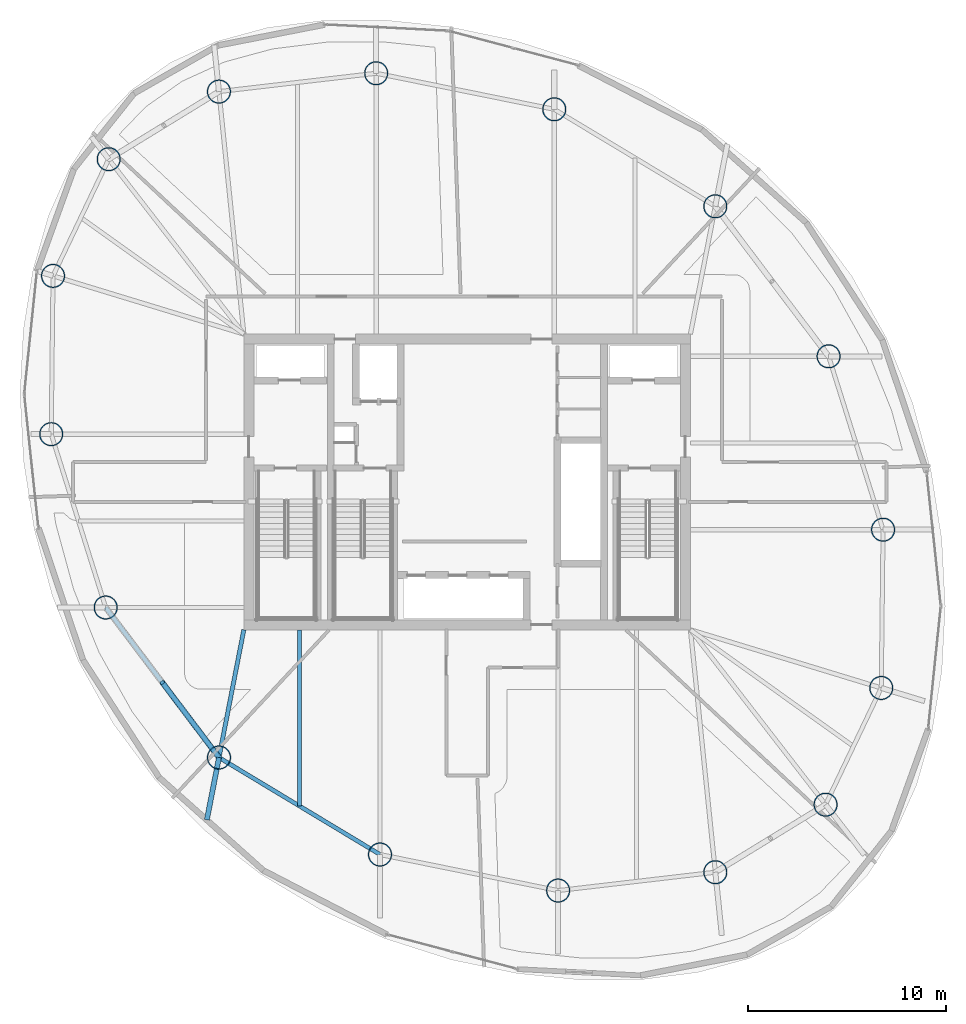
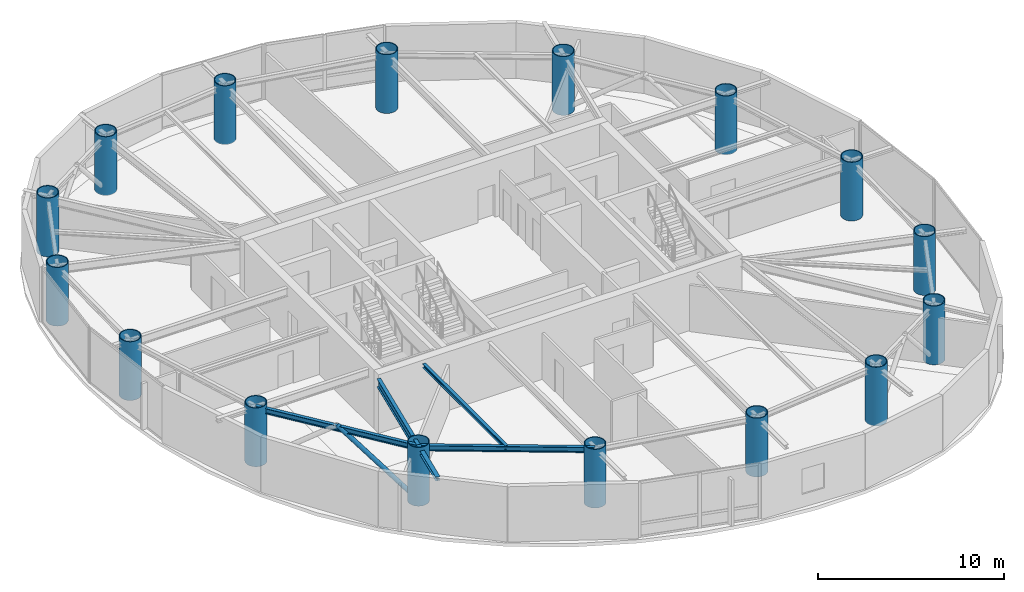
# One storey, part 1 of 20: 16 columns, 5 beams, 1 member.
"""IFC4 building model written with IfcOpenShell, lengths in metres."""

from ifc_helpers import new_model, si_unit, direction, frame, origin, origin_2d, place, context, subcontext, project, spatial, hollow_circle, i_section, extrude, material, material_profile, profile_set, type_object, element, save


model = new_model("IFC4")

# Units and contexts
model_context = context("Model", 3, precision=1e-05, world=origin(), true_north=direction((0.0, 1.0)))
body_context = subcontext(model_context, "Body", "Model", "MODEL_VIEW")
ifc_project = project(units=[si_unit("LENGTHUNIT", "METRE"), si_unit("AREAUNIT", "SQUARE_METRE"), si_unit("VOLUMEUNIT", "CUBIC_METRE"), si_unit("PLANEANGLEUNIT", "RADIAN"), si_unit("MASSUNIT", "GRAM", prefix="KILO")], contexts=[model_context])

# Site, building, storey
site_placement = place(None, origin())
site = spatial("IfcSite", under=ifc_project, at=site_placement, CompositionType="ELEMENT")
building_placement = place(site_placement, origin())
building = spatial("IfcBuilding", under=site, at=building_placement, Name="Bramvorn Convention Spire", CompositionType="ELEMENT")
storey_placement = place(building_placement, frame((0.0, 0.0, 228.949951171875)))
storey = spatial("IfcBuildingStorey", under=building, at=storey_placement, Name="L58", CompositionType="ELEMENT", Elevation=228.949951171875)

# Columns
ifc_material = material(Name="Steel CSA G40.21 Grade 350 (350W)", Category="steel")
ifc_material_profile_1 = material_profile(ifc_material, hollow_circle(Radius=0.60009765625, WallThickness=0.050048828125, at=origin_2d()))
ifc_profile_set_1 = profile_set([ifc_material_profile_1], Name="Steel CSA G40.21 Grade 350 (350W) - CFT1200X50")
column_type = type_object("IfcColumnType", Name="COL-CFT1200X50", PredefinedType="COLUMN", material=ifc_profile_set_1)
for number, where, z_axis, x_axis, name in (
    (1, (56.058349609375, 9.739990234375, 0.0), (0.0, 0.0, 1.0), (1.0, 0.0, 0.0), "L58 composite CFT mega-column MC01"),
    (2, (58.863037109375, 15.619384765625, 0.0), (0.0, 0.0, 1.0), (1.0, 0.0, 0.0), "L58 composite CFT mega-column MC02"),
    (3, (58.95458984375, 23.593505859375, 0.0), (0.0, 0.0, 1.0), (1.0, 0.0, 0.0), "L58 composite CFT mega-column MC03"),
    (4, (56.21044921875, 32.327392578125, 0.0), (0.0, 0.0, 1.0), (1.0, 0.0, 0.0), "L58 composite CFT mega-column MC04"),
    (5, (50.501953125, 39.885009765625, 0.0), (0.0, 0.0, 1.0), (1.0, 0.0, 0.0), "L58 composite CFT mega-column MC05"),
    (6, (42.38916015625, 44.772216796875, 0.0), (0.0, 0.0, 1.0), (1.0, 0.0, 0.0), "L58 composite CFT mega-column MC06"),
    (7, (33.416259765625, 46.58837890625, 0.0), (0.0, 0.0, 1.0), (1.0, 0.0, 0.0), "L58 composite CFT mega-column MC07"),
    (8, (25.49560546875, 45.663818359375, 0.0), (0.0, 0.0, 1.0), (1.0, 0.0, 0.0), "L58 composite CFT mega-column MC08"),
    (9, (19.941650390625, 42.260009765625, 0.0), (0.0, 0.0, 1.0), (1.0, 0.0, 0.0), "L58 composite CFT mega-column MC09"),
    (10, (17.136962890625, 36.380615234375, 0.0), (0.0, 0.0, 1.0), (1.0, 0.0, 0.0), "L58 composite CFT mega-column MC10"),
    (11, (17.04541015625, 28.406494140625, 0.0), (0.0, 0.0, 1.0), (1.0, 0.0, 0.0), "L58 composite CFT mega-column MC11"),
    (12, (19.78955078125, 19.672607421875, 0.0), (0.0, 0.0, 1.0), (1.0, 0.0, 0.0), "L58 composite CFT mega-column MC12"),
    (13, (25.498046875, 12.114990234375, 0.0), (0.0, 0.0, 1.0), (1.0, 0.0, 0.0), "L58 composite CFT mega-column MC13"),
    (14, (33.61083984375, 7.227783203125, 0.0), (0.0, 0.0, 1.0), (1.0, 0.0, 0.0), "L58 composite CFT mega-column MC14"),
    (15, (42.583740234375, 5.41162109375, 0.0), (0.0, 0.0, 1.0), (1.0, 0.0, 0.0), "L58 composite CFT mega-column MC15"),
    (16, (50.50439453125, 6.336181640625, 0.0), (0.0, 0.0, 1.0), (1.0, 0.0, 0.0), "L58 composite CFT mega-column MC16"),
):
    element("IfcColumn", number, at=place(storey_placement, frame(where, z_axis=z_axis, x_axis=x_axis)), inside=storey, type_object=column_type, Name=name, PredefinedType="COLUMN", context=body_context, shape_type="SweptSolid", body=[
        extrude(hollow_circle(Radius=0.60009765625, WallThickness=0.050048828125, at=origin_2d()), origin(), (0.0, 0.0, 1.0), 3.85009765625),
    ])

# Beams
ifc_material_profile_2 = material_profile(ifc_material, i_section(OverallWidth=0.201904296875, OverallDepth=0.2470703125, WebThickness=0.00732421875, FlangeThickness=0.010986328125, FilletRadius=0.011962890625, at=origin_2d()))
ifc_profile_set_2 = profile_set([ifc_material_profile_2], Name="Steel CSA G40.21 Grade 350 (350W) - W250X49")
beam_type_1 = type_object("IfcBeamType", Name="BM-W250X49", PredefinedType="JOIST", material=ifc_profile_set_2)
beam_1_placement = place(storey_placement, frame((29.554443359375, 18.550048828125, 3.49658203125), z_axis=(0.0, -1.0, 0.0), x_axis=(1.0, 0.0, 0.0)))
element("IfcBeam", 17, at=beam_1_placement, inside=storey, type_object=beam_type_1, Name="L58 composite floor joist 13", PredefinedType="JOIST", context=body_context, shape_type="SweptSolid", body=[
    extrude(i_section(OverallWidth=0.201904296875, OverallDepth=0.2470703125, WebThickness=0.00732421875, FlangeThickness=0.010986328125, FilletRadius=0.011962890625, at=origin_2d()), origin(), (0.0, 0.0, 1.0), 8.878662109375),
])
ifc_material_profile_3 = material_profile(ifc_material, i_section(OverallWidth=0.25390625, OverallDepth=0.2529296875, WebThickness=0.008544921875, FlangeThickness=0.01416015625, FilletRadius=0.011962890625, at=origin_2d()))
ifc_profile_set_3 = profile_set([ifc_material_profile_3], Name="Steel CSA G40.21 Grade 350 (350W) - W250X73")
beam_type_2 = type_object("IfcBeamType", Name="BM-W250X73", PredefinedType="BEAM", material=ifc_profile_set_3)
beam_2_placement = place(storey_placement, frame((25.498046875, 12.114990234375, 3.49365234375), z_axis=(-0.190977895588, -0.981594337492, 0.0), x_axis=(0.981594337492, -0.190977895588, 0.0)))
element("IfcBeam", 18, at=beam_2_placement, inside=storey, type_object=beam_type_2, Name="L58 slab-edge cantilever tip beam MC13", PredefinedType="BEAM", context=body_context, shape_type="SweptSolid", body=[
    extrude(i_section(OverallWidth=0.25390625, OverallDepth=0.2529296875, WebThickness=0.008544921875, FlangeThickness=0.01416015625, FilletRadius=0.011962890625, at=origin_2d()), origin(), (0.0, 0.0, 1.0), 3.19970703125),
])
ifc_material_profile_4 = material_profile(ifc_material, i_section(OverallWidth=0.205078125, OverallDepth=0.35400390625, WebThickness=0.009521484375, FlangeThickness=0.016845703125, FilletRadius=0.014892578125, at=origin_2d()))
ifc_profile_set_4 = profile_set([ifc_material_profile_4], Name="Steel CSA G40.21 Grade 350 (350W) - W360X79")
beam_type_3 = type_object("IfcBeamType", Name="BM-W360X79", PredefinedType="JOIST", material=ifc_profile_set_4)
for number, where, z_axis, x_axis, name in (
    (19, (19.78955078125, 19.672607421875, 3.443115234375), (0.602718581414, -0.797953827999, 0.0), (0.797953827999, 0.602718581414, 0.0), "L58 mega-column ring beam 12"),
    (20, (25.498046875, 12.114990234375, 3.443115234375), (0.856581795745, -0.516011266543, 0.0), (0.516011266543, 0.856581795745, 0.0), "L58 mega-column ring beam 13"),
):
    element("IfcBeam", number, at=place(storey_placement, frame(where, z_axis=z_axis, x_axis=x_axis)), inside=storey, type_object=beam_type_3, Name=name, PredefinedType="JOIST", context=body_context, shape_type="SweptSolid", body=[
        extrude(i_section(OverallWidth=0.205078125, OverallDepth=0.35400390625, WebThickness=0.009521484375, FlangeThickness=0.016845703125, FilletRadius=0.014892578125, at=origin_2d()), origin(), (0.0, 0.0, 1.0), 9.47119140625),
    ])
ifc_material_profile_5 = material_profile(ifc_material, i_section(OverallWidth=0.2119140625, OverallDepth=0.5439453125, WebThickness=0.01318359375, FlangeThickness=0.021240234375, FilletRadius=0.01904296875, at=origin_2d()))
ifc_profile_set_5 = profile_set([ifc_material_profile_5], Name="Steel CSA G40.21 Grade 350 (350W) - W530X123")
beam_type_4 = type_object("IfcBeamType", Name="BM-W530X123", PredefinedType="BEAM", material=ifc_profile_set_5)
beam_3_placement = place(storey_placement, frame((26.75, 18.550048828125, 3.34814453125), z_axis=(-0.190971329886, -0.981595614885, 0.0), x_axis=(0.981595614885, -0.190971329886, 0.0)))
element("IfcBeam", 21, at=beam_3_placement, inside=storey, type_object=beam_type_4, Name="L58 radial floor girder MC13", PredefinedType="BEAM", context=body_context, shape_type="SweptSolid", body=[
    extrude(i_section(OverallWidth=0.2119140625, OverallDepth=0.5439453125, WebThickness=0.01318359375, FlangeThickness=0.021240234375, FilletRadius=0.01904296875, at=origin_2d()), origin(), (0.0, 0.0, 1.0), 6.5556640625),
])

# Member
ifc_material_profile_6 = material_profile(ifc_material, hollow_circle(Radius=0.136474609375, WallThickness=0.0126953125, at=origin_2d()))
ifc_profile_set_6 = profile_set([ifc_material_profile_6], Name="Steel CSA G40.21 Grade 350 (350W) - CHS273X13")
member_type = type_object("IfcMemberType", Name="MBR-CHS273X13", PredefinedType="BRACE", material=ifc_profile_set_6)
member_placement = place(storey_placement, frame((25.498046875, 12.114990234375, 0.0), z_axis=(-0.478834801206, 0.633941070316, 0.607318658137), x_axis=(-0.797953827999, -0.602718581414, 0.0)))
element("IfcMember", 22, at=member_placement, inside=storey, type_object=member_type, Name="L58 perimeter Gothic lancet brace 12B", PredefinedType="BRACE", context=body_context, shape_type="SweptSolid", body=[
    extrude(hollow_circle(Radius=0.136474609375, WallThickness=0.0126953125, at=origin_2d()), origin(), (0.0, 0.0, 1.0), 5.9609375),
])

save(model, "model.ifc")
